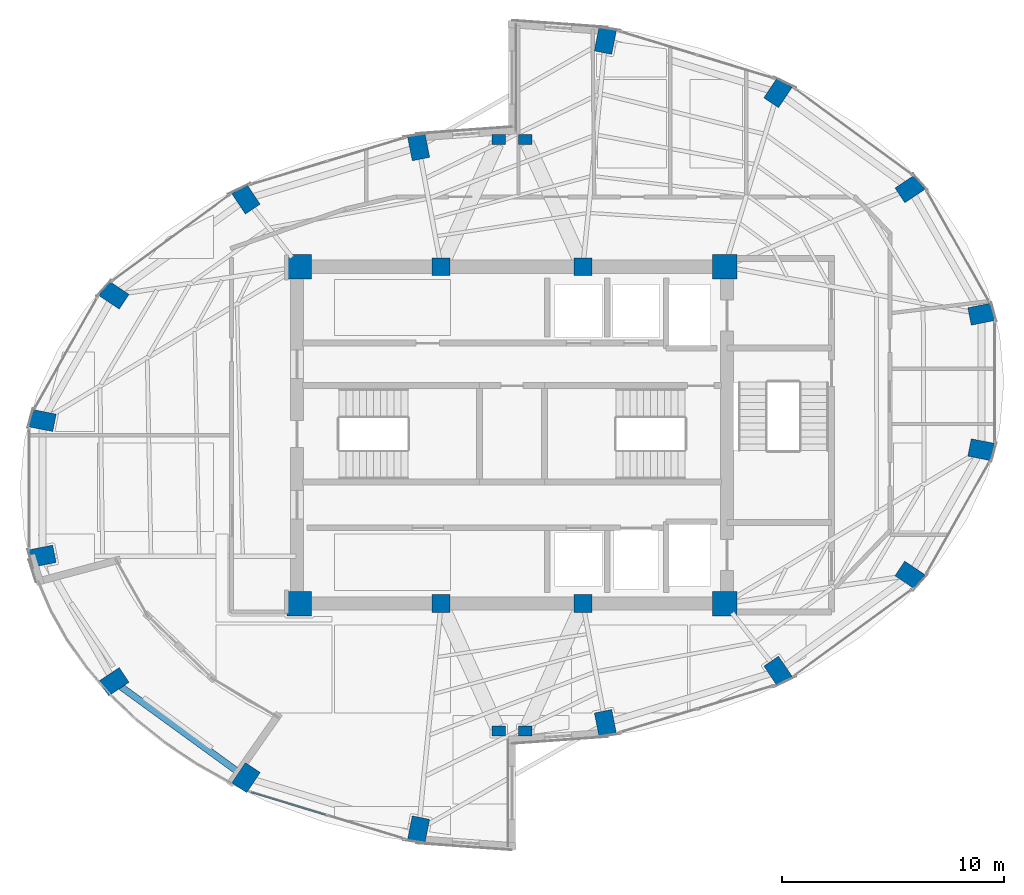
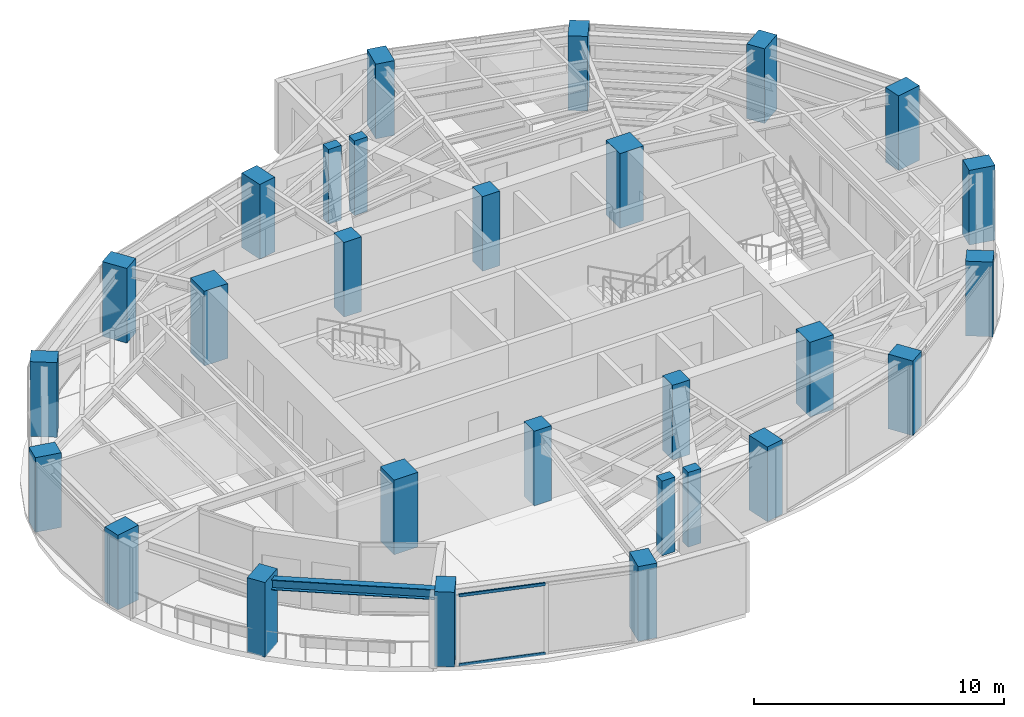
# One storey, part 1 of 21: 28 columns, 2 members, 1 beam, 1 element without a shape of its own.
"""IFC4 building model written with IfcOpenShell, lengths in metres."""

from ifc_helpers import new_model, si_unit, direction, frame, origin, origin_2d, place, context, subcontext, project, spatial, rectangle, hollow_rectangle, i_section, extrude, material, layer, layer_set, material_profile, profile_set, type_object, element, aggregate, save


model = new_model("IFC4")

# Units and contexts
model_context = context("Model", 3, precision=1e-05, world=origin(), true_north=direction((0.0, 1.0)))
body_context = subcontext(model_context, "Body", "Model", "MODEL_VIEW")
ifc_project = project(units=[si_unit("LENGTHUNIT", "METRE"), si_unit("AREAUNIT", "SQUARE_METRE"), si_unit("VOLUMEUNIT", "CUBIC_METRE"), si_unit("PLANEANGLEUNIT", "RADIAN"), si_unit("MASSUNIT", "GRAM", prefix="KILO")], contexts=[model_context])

# Site, building, storey
site_placement = place(None, origin())
site = spatial("IfcSite", under=ifc_project, at=site_placement, CompositionType="ELEMENT")
building_placement = place(site_placement, origin())
building = spatial("IfcBuilding", under=site, at=building_placement, Name="Lazwardi Medical Tower", CompositionType="ELEMENT")
storey_placement = place(building_placement, frame((0.0, 0.0, 216.719970703125)))
storey = spatial("IfcBuildingStorey", under=building, at=storey_placement, Name="L56", CompositionType="ELEMENT", Elevation=216.719970703125)

# Columns
ifc_material_1 = material(Name="Concrete C80/95", Category="concrete")
ifc_material_profile_1 = material_profile(ifc_material_1, rectangle(XDim=1.10009765625, YDim=1.10009765625, at=origin_2d()), Name="RC 1100x1100")
ifc_profile_set_1 = profile_set([ifc_material_profile_1], Name="Concrete C80/95")
column_type_1 = type_object("IfcColumnType", Name="COL-CC-L", PredefinedType="COLUMN", material=ifc_profile_set_1)
for number, where, z_axis, x_axis, name in (
    (1, (26.39990234375, 20.39990234375, 0.0), (0.0, 0.0, 1.0), (1.0, 0.0, 0.0), "Core column CC-01 CC1 L56"),
    (2, (45.60009765625, 20.39990234375, 0.0), (0.0, 0.0, 1.0), (1.0, 0.0, 0.0), "Core column CC-01 CC4 L56"),
    (3, (45.60009765625, 35.60009765625, 0.0), (0.0, 0.0, 1.0), (1.0, 0.0, 0.0), "Core column CC-01 CC5 L56"),
    (4, (26.39990234375, 35.60009765625, 0.0), (0.0, 0.0, 1.0), (1.0, 0.0, 0.0), "Core column CC-01 CC8 L56"),
):
    element("IfcColumn", number, at=place(storey_placement, frame(where, z_axis=z_axis, x_axis=x_axis)), inside=storey, type_object=column_type_1, Name=name, PredefinedType="COLUMN", context=body_context, shape_type="SweptSolid", body=[
        extrude(rectangle(XDim=1.10009765625, YDim=1.10009765625, at=origin_2d()), origin(), (0.0, 0.0, 1.0), 3.64794921875),
    ])
ifc_material_2 = material(Name="Concrete C60/75", Category="concrete")
ifc_material_profile_2 = material_profile(ifc_material_2, rectangle(XDim=0.800048828125, YDim=0.800048828125, at=origin_2d()), Name="RC 800x800")
ifc_profile_set_2 = profile_set([ifc_material_profile_2], Name="Concrete C60/75")
column_type_2 = type_object("IfcColumnType", Name="COL-CC-U", PredefinedType="COLUMN", material=ifc_profile_set_2)
for number, where, z_axis, x_axis, name in (
    (5, (32.800048828125, 20.39990234375, 0.0), (0.0, 0.0, 1.0), (1.0, 0.0, 0.0), "Core column CC-03 CC2 L56"),
    (6, (39.199951171875, 20.39990234375, 0.0), (0.0, 0.0, 1.0), (1.0, 0.0, 0.0), "Core column CC-03 CC3 L56"),
    (7, (39.199951171875, 35.60009765625, 0.0), (0.0, 0.0, 1.0), (1.0, 0.0, 0.0), "Core column CC-03 CC6 L56"),
    (8, (32.800048828125, 35.60009765625, 0.0), (0.0, 0.0, 1.0), (1.0, 0.0, 0.0), "Core column CC-03 CC7 L56"),
):
    element("IfcColumn", number, at=place(storey_placement, frame(where, z_axis=z_axis, x_axis=x_axis)), inside=storey, type_object=column_type_2, Name=name, PredefinedType="COLUMN", context=body_context, shape_type="SweptSolid", body=[
        extrude(rectangle(XDim=0.800048828125, YDim=0.800048828125, at=origin_2d()), origin(), (0.0, 0.0, 1.0), 3.64794921875),
    ])
ifc_material_profile_3 = material_profile(ifc_material_2, rectangle(XDim=1.10009765625, YDim=0.800048828125, at=origin_2d()), Name="CFT-RECT 1100x800")
ifc_profile_set_3 = profile_set([ifc_material_profile_3], Name="Concrete C60/75")
column_type_3 = type_object("IfcColumnType", Name="COL-MC-Z4", PredefinedType="COLUMN", material=ifc_profile_set_3)
for number, where, z_axis, x_axis, name in (
    (9, (40.214111328125, 15.001708984375, 0.0), (0.0, 0.0, 1.0), (0.195090322016, -0.980785280403, 0.0), "Mega column MC-06 M01 L56"),
    (10, (48.000244140625, 17.345947265625, 0.0), (0.0, 0.0, 1.0), (0.55557023302, -0.831469612303, 0.0), "Mega column MC-06 M02 L56"),
    (11, (53.959716796875, 21.677490234375, 0.0), (0.0, 0.0, 1.0), (0.831469612303, -0.55557023302, 0.0), "Mega column MC-06 M03 L56"),
    (12, (57.18505859375, 27.337158203125, 0.0), (0.0, 0.0, 1.0), (0.980785280403, -0.195090322016, 0.0), "Mega column MC-06 M04 L56"),
    (13, (57.18505859375, 33.462890625, 0.0), (0.0, 0.0, 1.0), (0.980785280403, 0.195090322016, 0.0), "Mega column MC-06 M05 L56"),
    (14, (53.959716796875, 39.12255859375, 0.0), (0.0, 0.0, 1.0), (0.831469612303, 0.55557023302, 0.0), "Mega column MC-06 M06 L56"),
    (15, (48.000244140625, 43.4541015625, 0.0), (0.0, 0.0, 1.0), (0.55557023302, 0.831469612303, 0.0), "Mega column MC-06 M07 L56"),
    (16, (40.214111328125, 45.79833984375, 0.0), (0.0, 0.0, 1.0), (0.195090322016, 0.980785280403, 0.0), "Mega column MC-06 M08 L56"),
    (17, (31.785888671875, 40.998291015625, 0.0), (0.0, 0.0, 1.0), (-0.195090322016, 0.980785280403, 0.0), "Mega column MC-06 M09 L56"),
    (18, (23.999755859375, 38.654052734375, 0.0), (0.0, 0.0, 1.0), (-0.55557023302, 0.831469612303, 0.0), "Mega column MC-06 M10 L56"),
    (19, (18.040283203125, 34.322509765625, 0.0), (0.0, 0.0, 1.0), (-0.831469612303, 0.55557023302, 0.0), "Mega column MC-06 M11 L56"),
    (20, (14.81494140625, 28.662841796875, 0.0), (0.0, 0.0, 1.0), (-0.980785280403, 0.195090322016, 0.0), "Mega column MC-06 M12 L56"),
    (21, (14.81494140625, 22.537109375, 0.0), (0.0, 0.0, 1.0), (-0.980785280403, -0.195090322016, 0.0), "Mega column MC-06 M13 L56"),
    (22, (18.040283203125, 16.87744140625, 0.0), (0.0, 0.0, 1.0), (-0.831469612303, -0.55557023302, 0.0), "Mega column MC-06 M14 L56"),
    (23, (23.999755859375, 12.5458984375, 0.0), (0.0, 0.0, 1.0), (-0.55557023302, -0.831469612303, 0.0), "Mega column MC-06 M15 L56"),
    (24, (31.785888671875, 10.20166015625, 0.0), (0.0, 0.0, 1.0), (-0.195090322016, -0.980785280403, 0.0), "Mega column MC-06 M16 L56"),
):
    element("IfcColumn", number, at=place(storey_placement, frame(where, z_axis=z_axis, x_axis=x_axis)), inside=storey, type_object=column_type_3, Name=name, PredefinedType="COLUMN", context=body_context, shape_type="SweptSolid", body=[
        extrude(rectangle(XDim=1.10009765625, YDim=0.800048828125, at=origin_2d()), origin(), (0.0, 0.0, 1.0), 3.64794921875),
    ])
ifc_material_profile_4 = material_profile(ifc_material_2, rectangle(XDim=0.60009765625, YDim=0.449951171875, at=origin_2d()), Name="RC 600x450")
ifc_profile_set_4 = profile_set([ifc_material_profile_4], Name="Concrete C60/75")
column_type_4 = type_object("IfcColumnType", Name="COL-PL-IW", PredefinedType="PILASTER", material=ifc_profile_set_4)
for number, where, z_axis, x_axis, name in (
    (25, (35.39990234375, 41.35009765625, 0.0), (0.0, 0.0, 1.0), (1.0, 0.0, 0.0), "Iwan pilaster column PL-C1 PL1 L56"),
    (26, (36.60009765625, 41.35009765625, 0.0), (0.0, 0.0, 1.0), (1.0, 0.0, 0.0), "Iwan pilaster column PL-C1 PL2 L56"),
    (27, (35.39990234375, 14.64990234375, 0.0), (0.0, 0.0, 1.0), (1.0, 0.0, 0.0), "Iwan pilaster column PL-C1 PL3 L56"),
    (28, (36.60009765625, 14.64990234375, 0.0), (0.0, 0.0, 1.0), (1.0, 0.0, 0.0), "Iwan pilaster column PL-C1 PL4 L56"),
):
    element("IfcColumn", number, at=place(storey_placement, frame(where, z_axis=z_axis, x_axis=x_axis)), inside=storey, type_object=column_type_4, Name=name, PredefinedType="PILASTER", context=body_context, shape_type="SweptSolid", body=[
        extrude(rectangle(XDim=0.60009765625, YDim=0.449951171875, at=origin_2d()), origin(), (0.0, 0.0, 1.0), 3.64794921875),
    ])

# Beam
ifc_material_3 = material(Name="Steel S355", Category="steel")
ifc_material_profile_5 = material_profile(ifc_material_3, i_section(OverallWidth=0.300048828125, OverallDepth=0.5, WebThickness=0.014404296875, FlangeThickness=0.028076171875, at=origin_2d()), Name="HEB 500")
ifc_profile_set_5 = profile_set([ifc_material_profile_5], Name="Steel S355")
beam_type = type_object("IfcBeamType", Name="BM-RB-Z4", PredefinedType="BEAM", material=ifc_profile_set_5)
beam_placement = place(storey_placement, frame((18.355712890625, 16.648193359375, 3.197998046875), z_axis=(0.808889916254, -0.587960120571, 0.0), x_axis=(0.587960120571, 0.808889916254, 0.0)))
element("IfcBeam", 29, at=beam_placement, inside=storey, type_object=beam_type, Name="Ring beam RB-05 B14 L56", PredefinedType="BEAM", context=body_context, shape_type="SweptSolid", body=[
    extrude(i_section(OverallWidth=0.300048828125, OverallDepth=0.5, WebThickness=0.014404296875, FlangeThickness=0.028076171875, at=origin_2d()), origin(), (0.0, 0.0, 1.0), 6.587158203125),
])

# Curtain wall, members
ifc_material_4 = material(Name="Anodised bronze aluminium and solar control glazing", Category="aluminium")
ifc_layer = layer(ifc_material_4, 0.18994140625)
ifc_layer_set = layer_set([ifc_layer], Name="Anodised bronze aluminium and solar control glazing")
curtain_wall_type = type_object("IfcCurtainWallType", Name="CW-SYS-04", PredefinedType="NOTDEFINED", material=ifc_layer_set)
curtain_wall_placement = place(storey_placement, origin())
curtain_wall = element("IfcCurtainWall", 30, at=curtain_wall_placement, inside=storey, type_object=curtain_wall_type, Name="L56 Unitised bronze curtain wall CW-04", PredefinedType="NOTDEFINED")
ifc_material_5 = material(Name="Anodised bronze aluminium", Category="aluminium")
ifc_material_profile_6 = material_profile(ifc_material_5, hollow_rectangle(XDim=0.06494140625, YDim=0.139892578125, WallThickness=0.00341796875, at=origin_2d()), Name="ALU-TRANSOM 140x65x3.5")
ifc_profile_set_6 = profile_set([ifc_material_profile_6], Name="Anodised bronze aluminium")
member_type = type_object("IfcMemberType", Name="CW-TRN-03", PredefinedType="USERDEFINED", material=ifc_profile_set_6)
member_1_placement = place(storey_placement, frame((24.2314453125, 11.886962890625, 0.032470703125), z_axis=(0.956862505902, -0.290541124109, 0.0), x_axis=(0.290541124109, 0.956862505902, 0.0)))
member_1 = element("IfcMember", 31, at=member_1_placement, type_object=member_type, Name="CW-04 transom 1.1", ObjectType="TRANSOM", PredefinedType="USERDEFINED", context=body_context, shape_type="SweptSolid", body=[
    extrude(hollow_rectangle(XDim=0.06494140625, YDim=0.139892578125, WallThickness=0.00341796875, at=origin_2d()), origin(), (0.0, 0.0, 1.0), 3.554443359375),
])
member_2_placement = place(storey_placement, frame((24.2314453125, 11.886962890625, 3.41552734375), z_axis=(0.956862505902, -0.290541124109, 0.0), x_axis=(0.290541124109, 0.956862505902, 0.0)))
member_2 = element("IfcMember", 32, at=member_2_placement, type_object=member_type, Name="CW-04 transom 1.2", ObjectType="TRANSOM", PredefinedType="USERDEFINED", context=body_context, shape_type="SweptSolid", body=[
    extrude(hollow_rectangle(XDim=0.06494140625, YDim=0.139892578125, WallThickness=0.00341796875, at=origin_2d()), origin(), (0.0, 0.0, 1.0), 3.554443359375),
])
aggregate(curtain_wall, [member_1, member_2])

save(model, "model.ifc")
